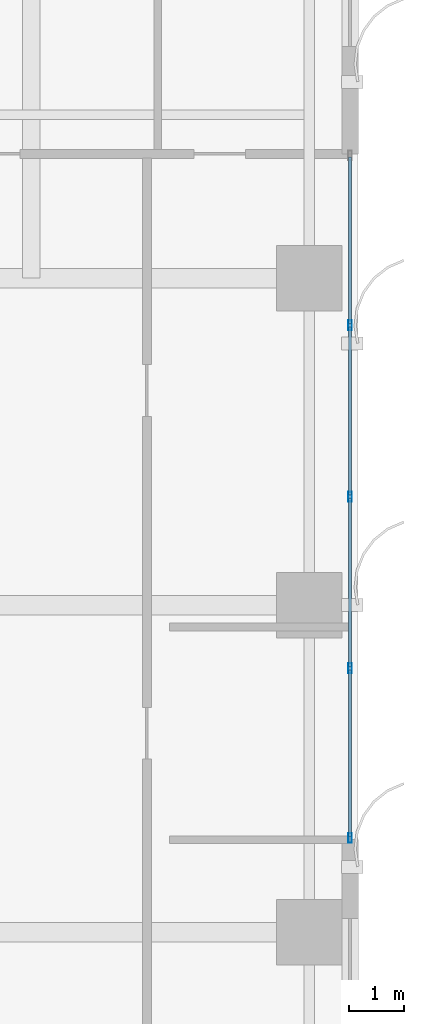
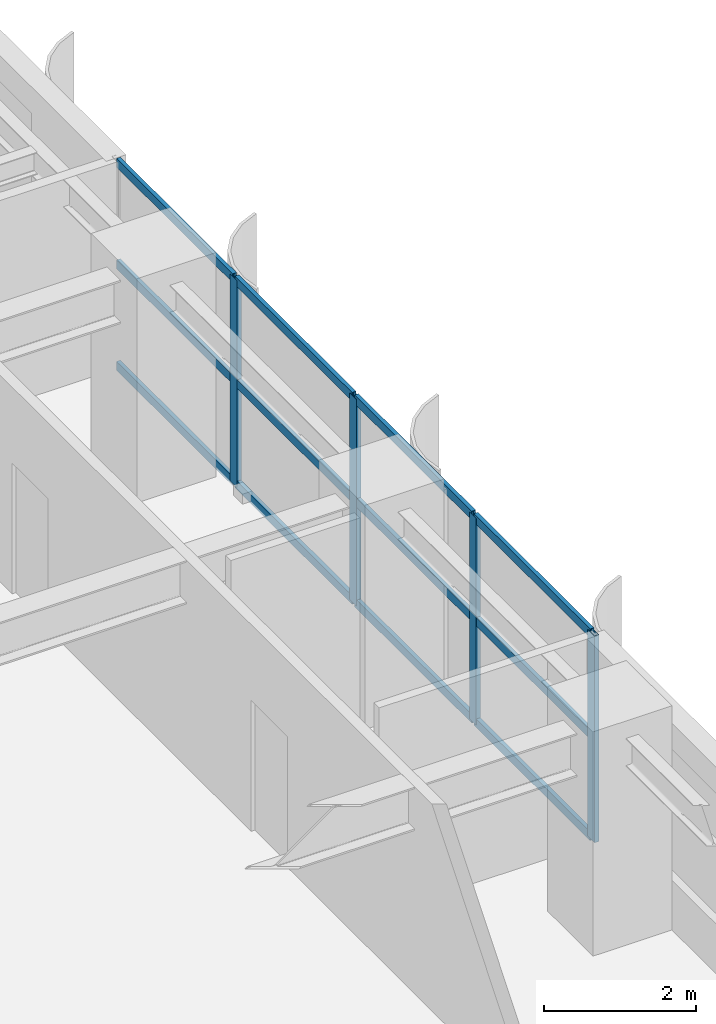
# One storey, part 4 of 17: 16 members, 1 element without a shape of its own.
"""IFC4 building model written with IfcOpenShell, lengths in metres."""

from ifc_helpers import new_model, si_unit, direction, frame, origin, origin_2d, place, context, subcontext, project, spatial, hollow_rectangle, extrude, source, transform, mapped, material, layer, layer_set, material_profile, profile_set, type_object, element, aggregate, save


model = new_model("IFC4")

# Units and contexts
model_context = context("Model", 3, precision=1e-05, world=origin(), true_north=direction((0.0, 1.0)))
body_context = subcontext(model_context, "Body", "Model", "MODEL_VIEW")
ifc_project = project(units=[si_unit("LENGTHUNIT", "METRE"), si_unit("AREAUNIT", "SQUARE_METRE"), si_unit("VOLUMEUNIT", "CUBIC_METRE"), si_unit("PLANEANGLEUNIT", "RADIAN"), si_unit("MASSUNIT", "GRAM", prefix="KILO")], contexts=[model_context])

# Site, building, storey
site_placement = place(None, origin())
site = spatial("IfcSite", under=ifc_project, at=site_placement, CompositionType="ELEMENT")
building_placement = place(site_placement, origin())
building = spatial("IfcBuilding", under=site, at=building_placement, Name="Khoralis Quay Care Tower", CompositionType="ELEMENT")
storey_placement = place(building_placement, frame((0.0, 0.0, 58.5)))
storey = spatial("IfcBuildingStorey", under=building, at=storey_placement, Name="L15", CompositionType="ELEMENT", Elevation=58.5)

# Curtain wall, members
ifc_material = material(Name="Pale anodised aluminium", Category="aluminium")
ifc_layer = layer(ifc_material, 0.179931640625)
ifc_layer_set = layer_set([ifc_layer], Name="Pale anodised aluminium")
curtain_wall_type = type_object("IfcCurtainWallType", Name="CW-SYS-Z1", PredefinedType="NOTDEFINED", material=ifc_layer_set)
curtain_wall_placement = place(storey_placement, origin())
curtain_wall = element("IfcCurtainWall", 1, at=curtain_wall_placement, inside=storey, type_object=curtain_wall_type, Name="L15 Unitised Curtain Wall CW-L15-P1-E5", PredefinedType="NOTDEFINED")
ifc_material_profile_1 = material_profile(ifc_material, hollow_rectangle(XDim=0.06494140625, YDim=0.179931640625, WallThickness=0.00390625, at=origin_2d()), Name="Pale anodised aluminium")
ifc_profile_set_1 = profile_set([ifc_material_profile_1], Name="Pale anodised aluminium")
member_type_1 = type_object("IfcMemberType", Name="CW-MUL-180", PredefinedType="MULLION", material=ifc_profile_set_1)
shared_shape_1 = source(origin(), body_context, "Body", "SweptSolid", [
    extrude(hollow_rectangle(XDim=0.06494140625, YDim=0.179931640625, WallThickness=0.00390625, at=origin_2d()), origin(), (0.0, 0.0, 1.0), 3.320068359375),
])
member_1_placement = place(storey_placement, frame((47.85009765625, 19.72998046875, 0.0), z_axis=(0.0, 0.0, 1.0), x_axis=(-1.0, 0.0, 0.0)))
member_1 = element("IfcMember", 2, at=member_1_placement, type_object=member_type_1, Name="CW1 mullion 1", PredefinedType="MULLION", context=body_context, shape_type="MappedRepresentation", body=[
    mapped(shared_shape_1, transform((0.0, 0.0, 0.0), scale=1.0)),
])
member_2_placement = place(storey_placement, frame((47.85009765625, 22.844970703125, 0.0), z_axis=(0.0, 0.0, 1.0), x_axis=(-1.0, 0.0, 0.0)))
member_2 = element("IfcMember", 3, at=member_2_placement, type_object=member_type_1, Name="CW1 mullion 2", PredefinedType="MULLION", context=body_context, shape_type="MappedRepresentation", body=[
    mapped(shared_shape_1, transform((0.0, 0.0, 0.0), scale=1.0)),
])
member_3_placement = place(storey_placement, frame((47.85009765625, 25.989990234375, 0.0), z_axis=(0.0, 0.0, 1.0), x_axis=(-1.0, 0.0, 0.0)))
member_3 = element("IfcMember", 4, at=member_3_placement, type_object=member_type_1, Name="CW1 mullion 3", PredefinedType="MULLION", context=body_context, shape_type="MappedRepresentation", body=[
    mapped(shared_shape_1, transform((0.0, 0.0, 0.0), scale=1.0)),
])
member_4_placement = place(storey_placement, frame((47.85009765625, 29.135009765625, 0.0), z_axis=(0.0, 0.0, 1.0), x_axis=(-1.0, 0.0, 0.0)))
member_4 = element("IfcMember", 5, at=member_4_placement, type_object=member_type_1, Name="CW1 mullion 4", PredefinedType="MULLION", context=body_context, shape_type="MappedRepresentation", body=[
    mapped(shared_shape_1, transform((0.0, 0.0, 0.0), scale=1.0)),
])
ifc_material_profile_2 = material_profile(ifc_material, hollow_rectangle(XDim=0.06005859375, YDim=0.139892578125, WallThickness=0.00390625, at=origin_2d()), Name="Pale anodised aluminium")
ifc_profile_set_2 = profile_set([ifc_material_profile_2], Name="Pale anodised aluminium")
member_type_2 = type_object("IfcMemberType", Name="CW-TRN-140", PredefinedType="USERDEFINED", material=ifc_profile_set_2)
shared_shape_2 = source(origin(), body_context, "Body", "SweptSolid", [
    extrude(hollow_rectangle(XDim=0.06005859375, YDim=0.139892578125, WallThickness=0.00390625, at=origin_2d()), origin(), (0.0, 0.0, 1.0), 3.054931640625),
])
member_5_placement = place(storey_placement, frame((47.85009765625, 19.760009765625, 0.030029296875), z_axis=(0.0, 1.0, 0.0), x_axis=(-1.0, 0.0, 0.0)))
member_5 = element("IfcMember", 6, at=member_5_placement, type_object=member_type_2, Name="CW1 transom 1.1", ObjectType="TRANSOM", PredefinedType="USERDEFINED", context=body_context, shape_type="MappedRepresentation", body=[
    mapped(shared_shape_2, transform((0.0, 0.0, 0.0), scale=1.0)),
])
member_6_placement = place(storey_placement, frame((47.85009765625, 19.760009765625, 1.659912109375), z_axis=(0.0, 1.0, 0.0), x_axis=(-1.0, 0.0, 0.0)))
member_6 = element("IfcMember", 7, at=member_6_placement, type_object=member_type_2, Name="CW1 transom 1.2", ObjectType="TRANSOM", PredefinedType="USERDEFINED", context=body_context, shape_type="MappedRepresentation", body=[
    mapped(shared_shape_2, transform((0.0, 0.0, 0.0), scale=1.0)),
])
member_7_placement = place(storey_placement, frame((47.85009765625, 19.760009765625, 3.2900390625), z_axis=(0.0, 1.0, 0.0), x_axis=(-1.0, 0.0, 0.0)))
member_7 = element("IfcMember", 8, at=member_7_placement, type_object=member_type_2, Name="CW1 transom 1.3", ObjectType="TRANSOM", PredefinedType="USERDEFINED", context=body_context, shape_type="MappedRepresentation", body=[
    mapped(shared_shape_2, transform((0.0, 0.0, 0.0), scale=1.0)),
])
member_8_placement = place(storey_placement, frame((47.85009765625, 29.1650390625, 0.030029296875), z_axis=(0.0, 1.0, 0.0), x_axis=(-1.0, 0.0, 0.0)))
member_8 = element("IfcMember", 9, at=member_8_placement, type_object=member_type_2, Name="CW1 transom 4.1", ObjectType="TRANSOM", PredefinedType="USERDEFINED", context=body_context, shape_type="MappedRepresentation", body=[
    mapped(shared_shape_2, transform((0.0, 0.0, 0.0), scale=1.0)),
])
member_9_placement = place(storey_placement, frame((47.85009765625, 29.1650390625, 1.659912109375), z_axis=(0.0, 1.0, 0.0), x_axis=(-1.0, 0.0, 0.0)))
member_9 = element("IfcMember", 10, at=member_9_placement, type_object=member_type_2, Name="CW1 transom 4.2", ObjectType="TRANSOM", PredefinedType="USERDEFINED", context=body_context, shape_type="MappedRepresentation", body=[
    mapped(shared_shape_2, transform((0.0, 0.0, 0.0), scale=1.0)),
])
member_10_placement = place(storey_placement, frame((47.85009765625, 29.1650390625, 3.2900390625), z_axis=(0.0, 1.0, 0.0), x_axis=(-1.0, 0.0, 0.0)))
member_10 = element("IfcMember", 11, at=member_10_placement, type_object=member_type_2, Name="CW1 transom 4.3", ObjectType="TRANSOM", PredefinedType="USERDEFINED", context=body_context, shape_type="MappedRepresentation", body=[
    mapped(shared_shape_2, transform((0.0, 0.0, 0.0), scale=1.0)),
])
shared_shape_3 = source(origin(), body_context, "Body", "SweptSolid", [
    extrude(hollow_rectangle(XDim=0.06005859375, YDim=0.139892578125, WallThickness=0.00390625, at=origin_2d()), origin(), (0.0, 0.0, 1.0), 3.0849609375),
])
member_11_placement = place(storey_placement, frame((47.85009765625, 22.875, 0.030029296875), z_axis=(0.0, 1.0, 0.0), x_axis=(-1.0, 0.0, 0.0)))
member_11 = element("IfcMember", 12, at=member_11_placement, type_object=member_type_2, Name="CW1 transom 2.1", ObjectType="TRANSOM", PredefinedType="USERDEFINED", context=body_context, shape_type="MappedRepresentation", body=[
    mapped(shared_shape_3, transform((0.0, 0.0, 0.0), scale=1.0)),
])
member_12_placement = place(storey_placement, frame((47.85009765625, 22.875, 1.659912109375), z_axis=(0.0, 1.0, 0.0), x_axis=(-1.0, 0.0, 0.0)))
member_12 = element("IfcMember", 13, at=member_12_placement, type_object=member_type_2, Name="CW1 transom 2.2", ObjectType="TRANSOM", PredefinedType="USERDEFINED", context=body_context, shape_type="MappedRepresentation", body=[
    mapped(shared_shape_3, transform((0.0, 0.0, 0.0), scale=1.0)),
])
member_13_placement = place(storey_placement, frame((47.85009765625, 22.875, 3.2900390625), z_axis=(0.0, 1.0, 0.0), x_axis=(-1.0, 0.0, 0.0)))
member_13 = element("IfcMember", 14, at=member_13_placement, type_object=member_type_2, Name="CW1 transom 2.3", ObjectType="TRANSOM", PredefinedType="USERDEFINED", context=body_context, shape_type="MappedRepresentation", body=[
    mapped(shared_shape_3, transform((0.0, 0.0, 0.0), scale=1.0)),
])
member_14_placement = place(storey_placement, frame((47.85009765625, 26.02001953125, 0.030029296875), z_axis=(0.0, 1.0, 0.0), x_axis=(-1.0, 0.0, 0.0)))
member_14 = element("IfcMember", 15, at=member_14_placement, type_object=member_type_2, Name="CW1 transom 3.1", ObjectType="TRANSOM", PredefinedType="USERDEFINED", context=body_context, shape_type="MappedRepresentation", body=[
    mapped(shared_shape_3, transform((0.0, 0.0, 0.0), scale=1.0)),
])
member_15_placement = place(storey_placement, frame((47.85009765625, 26.02001953125, 1.659912109375), z_axis=(0.0, 1.0, 0.0), x_axis=(-1.0, 0.0, 0.0)))
member_15 = element("IfcMember", 16, at=member_15_placement, type_object=member_type_2, Name="CW1 transom 3.2", ObjectType="TRANSOM", PredefinedType="USERDEFINED", context=body_context, shape_type="MappedRepresentation", body=[
    mapped(shared_shape_3, transform((0.0, 0.0, 0.0), scale=1.0)),
])
member_16_placement = place(storey_placement, frame((47.85009765625, 26.02001953125, 3.2900390625), z_axis=(0.0, 1.0, 0.0), x_axis=(-1.0, 0.0, 0.0)))
member_16 = element("IfcMember", 17, at=member_16_placement, type_object=member_type_2, Name="CW1 transom 3.3", ObjectType="TRANSOM", PredefinedType="USERDEFINED", context=body_context, shape_type="MappedRepresentation", body=[
    mapped(shared_shape_3, transform((0.0, 0.0, 0.0), scale=1.0)),
])
aggregate(curtain_wall, [member_1, member_2, member_3, member_4, member_5, member_6, member_7, member_11, member_12, member_13, member_14, member_15, member_16, member_8, member_9, member_10])

save(model, "model.ifc")
